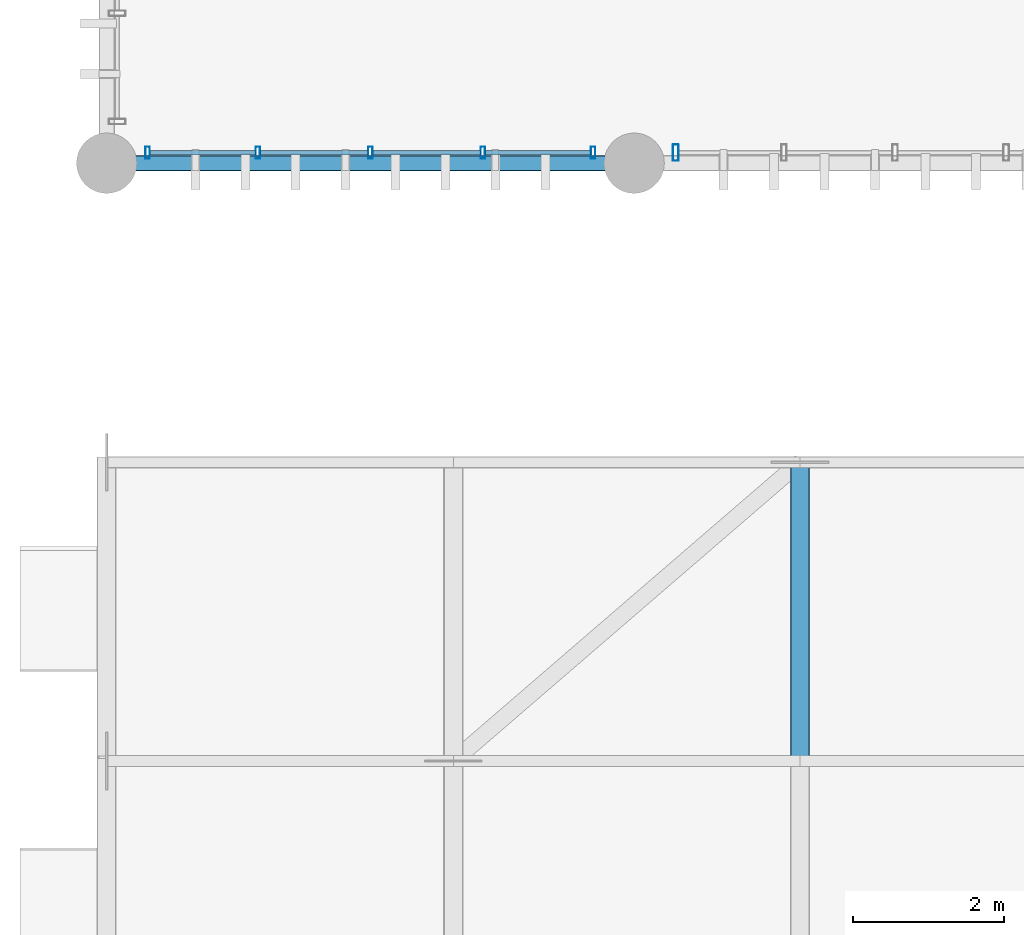
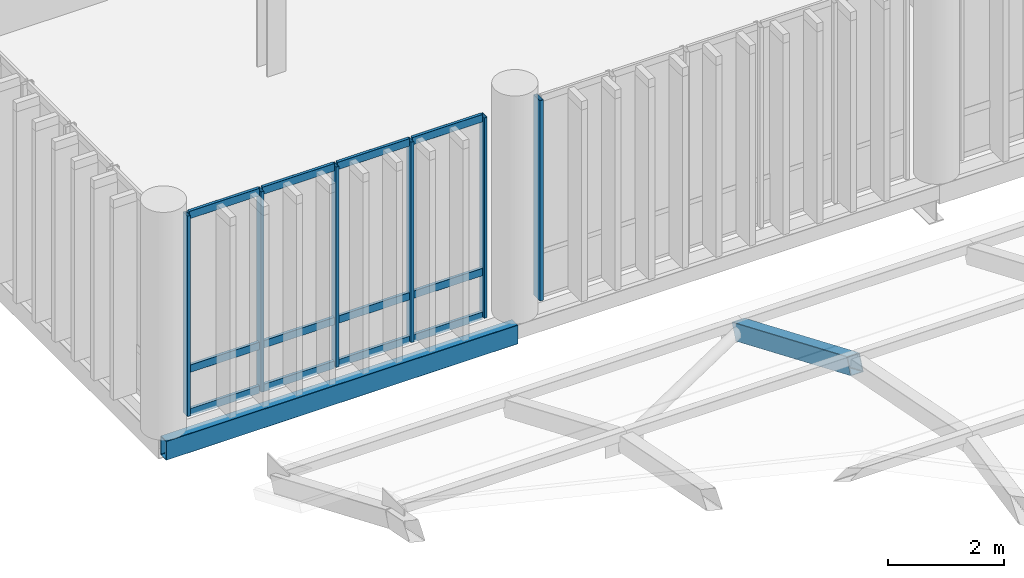
# One storey, part 12 of 94: 18 members, 2 beams, 2 elements without a shape of their own.
"""IFC4 building model written with IfcOpenShell, lengths in metres."""

from ifc_helpers import new_model, si_unit, direction, frame, origin_with_axes, origin_2d_with_axis, place, context, subcontext, project, spatial, hollow_rectangle, extrude, material, material_profile, profile_set, type_object, element, aggregate, save


model = new_model("IFC4")

# Units and contexts
model_context = context("Model", 3, precision=1e-05, world=origin_with_axes(), true_north=direction((0.0, 1.0)))
body_context = subcontext(model_context, "Body", "Model", "MODEL_VIEW")
ifc_project = project(units=[si_unit("LENGTHUNIT", "METRE"), si_unit("AREAUNIT", "SQUARE_METRE"), si_unit("VOLUMEUNIT", "CUBIC_METRE"), si_unit("PLANEANGLEUNIT", "RADIAN"), si_unit("MASSUNIT", "GRAM", prefix="KILO"), si_unit("THERMODYNAMICTEMPERATUREUNIT", "KELVIN")], contexts=[model_context])

# Site, building, storey
site_placement = place(None, origin_with_axes())
site = spatial("IfcSite", under=ifc_project, at=site_placement, CompositionType="ELEMENT")
building_placement = place(site_placement, origin_with_axes())
building = spatial("IfcBuilding", under=site, at=building_placement, Name="Montbau Bow Law Courts", CompositionType="ELEMENT")
storey_placement = place(building_placement, frame((0.0, 0.0, 15.6), z_axis=(0.0, 0.0, 1.0), x_axis=(1.0, 0.0, 0.0)))
storey = spatial("IfcBuildingStorey", under=building, at=storey_placement, Name="L03", CompositionType="ELEMENT", Elevation=15.6)

# Beams
ifc_material_1 = material(Name="Steel CSA G40.21 Grade 350WT (350 MPa)", Category="steel")
ifc_material_profile_1 = material_profile(ifc_material_1, hollow_rectangle(XDim=0.254, YDim=0.356, WallThickness=0.0127, InnerFilletRadius=0.0254, OuterFilletRadius=0.0127, at=origin_2d_with_axis()), Name="HSS356X254X13", Category="Main", Priority=0)
ifc_profile_set_1 = profile_set([ifc_material_profile_1], Name="Steel CSA G40.21 Grade 350WT (350 MPa)")
beam_type_1 = type_object("IfcBeamType", Name="B-ARC-01", PredefinedType="USERDEFINED", material=ifc_profile_set_1)
beam_1_placement = place(None, frame((16.0, 22.667, 18.511), z_axis=(0.0, 0.921210714, -0.389064031), x_axis=(-1.0, 0.0, 0.0)))
element("IfcBeam", 1, at=beam_1_placement, inside=storey, type_object=beam_type_1, Name="Barrel vault roof truss arch rib V1-017", ObjectType="ARCH_RIB", PredefinedType="USERDEFINED", context=body_context, shape_type="SweptSolid", body=[
    extrude(hollow_rectangle(XDim=0.254, YDim=0.356, WallThickness=0.0127, InnerFilletRadius=0.0254, OuterFilletRadius=0.0127, at=origin_2d_with_axis()), origin_with_axes(), (0.0, 0.0, 1.0), 4.305204),
])
ifc_material_profile_2 = material_profile(ifc_material_1, hollow_rectangle(XDim=0.203, YDim=0.406, WallThickness=0.0127, InnerFilletRadius=0.0254, OuterFilletRadius=0.0127, at=origin_2d_with_axis()), Name="HSS406X203X13", Category="Main", Priority=0)
ifc_profile_set_2 = profile_set([ifc_material_profile_2], Name="Steel CSA G40.21 Grade 350WT (350 MPa)")
beam_type_2 = type_object("IfcBeamType", Name="B-SPN-01", PredefinedType="SPANDREL", material=ifc_profile_set_2)
beam_2_placement = place(None, frame((6.8, 30.6, 15.157), z_axis=(1.0, 0.0, 0.0), x_axis=(0.0, 1.0, 0.0)))
element("IfcBeam", 2, at=beam_2_placement, inside=storey, type_object=beam_type_2, Name="SPN-L03-S0581:bm2_0584", PredefinedType="SPANDREL", context=body_context, shape_type="SweptSolid", body=[
    extrude(hollow_rectangle(XDim=0.203, YDim=0.406, WallThickness=0.0127, InnerFilletRadius=0.0254, OuterFilletRadius=0.0127, at=origin_2d_with_axis()), origin_with_axes(), (0.0, 0.0, 1.0), 7.0),
])

# Curtain wall, member
ifc_material_2 = material(Name="Thermally Broken Extruded Aluminium AA 6063-T6", Category="aluminium")
curtain_wall_type = type_object("IfcCurtainWallType", Name="CW-TRC-01", PredefinedType="NOTDEFINED", material=ifc_material_2)
curtain_wall_1_placement = place(None, frame((14.315, 30.74, 15.6), z_axis=(0.0, 0.0, 1.0), x_axis=(1.0, 0.0, 0.0)))
curtain_wall_1 = element("IfcCurtainWall", 3, at=curtain_wall_1_placement, inside=storey, type_object=curtain_wall_type, Name="CW-L03-051:cw_0051", PredefinedType="NOTDEFINED")
ifc_material_profile_3 = material_profile(ifc_material_2, hollow_rectangle(XDim=0.075, YDim=0.22, WallThickness=0.005, InnerFilletRadius=0.01, OuterFilletRadius=0.005, at=origin_2d_with_axis()), Name="CWM-220X75", Category="Main", Priority=0)
ifc_profile_set_3 = profile_set([ifc_material_profile_3], Name="Thermally Broken Extruded Aluminium AA 6063-T6")
member_type_1 = type_object("IfcMemberType", Name="M-MUL-01", PredefinedType="MULLION", material=ifc_profile_set_3)
member_1_placement = place(None, frame((14.352, 30.74, 15.6), z_axis=(0.0, 0.0, 1.0), x_axis=(1.0, 0.0, 0.0)))
member_1 = element("IfcMember", 4, at=member_1_placement, type_object=member_type_1, Name="CW-L03-051-M01:cw_0051_M01", PredefinedType="MULLION", context=body_context, shape_type="SweptSolid", body=[
    extrude(hollow_rectangle(XDim=0.075, YDim=0.22, WallThickness=0.005, InnerFilletRadius=0.01, OuterFilletRadius=0.005, at=origin_2d_with_axis()), origin_with_axes(), (0.0, 0.0, 1.0), 4.22),
])
aggregate(curtain_wall_1, [member_1])

# Curtain wall, members
curtain_wall_2_placement = place(None, frame((7.315, 30.74, 15.6), z_axis=(0.0, 0.0, 1.0), x_axis=(1.0, 0.0, 0.0)))
curtain_wall_2 = element("IfcCurtainWall", 5, at=curtain_wall_2_placement, inside=storey, type_object=curtain_wall_type, Name="CW-L03-050:cw_0050", PredefinedType="NOTDEFINED")
ifc_material_profile_4 = material_profile(ifc_material_2, hollow_rectangle(XDim=0.06, YDim=0.16, WallThickness=0.004, InnerFilletRadius=0.008, OuterFilletRadius=0.004, at=origin_2d_with_axis()), Name="CWM-160X60", Category="Main", Priority=0)
ifc_profile_set_4 = profile_set([ifc_material_profile_4], Name="Thermally Broken Extruded Aluminium AA 6063-T6")
member_type_2 = type_object("IfcMemberType", Name="M-MUL-03", PredefinedType="MULLION", material=ifc_profile_set_4)
member_2_placement = place(None, frame((7.345, 30.74, 15.6), z_axis=(0.0, 0.0, 1.0), x_axis=(1.0, 0.0, 0.0)))
member_2 = element("IfcMember", 6, at=member_2_placement, type_object=member_type_2, Name="CW-L03-050-M01:cw_0050_M01", PredefinedType="MULLION", context=body_context, shape_type="SweptSolid", body=[
    extrude(hollow_rectangle(XDim=0.06, YDim=0.16, WallThickness=0.004, InnerFilletRadius=0.008, OuterFilletRadius=0.004, at=origin_2d_with_axis()), origin_with_axes(), (0.0, 0.0, 1.0), 4.22),
])
member_3_placement = place(None, frame((8.807, 30.74, 15.6), z_axis=(0.0, 0.0, 1.0), x_axis=(1.0, 0.0, 0.0)))
member_3 = element("IfcMember", 7, at=member_3_placement, type_object=member_type_2, Name="CW-L03-050-M02:cw_0050_M02", PredefinedType="MULLION", context=body_context, shape_type="SweptSolid", body=[
    extrude(hollow_rectangle(XDim=0.06, YDim=0.16, WallThickness=0.004, InnerFilletRadius=0.008, OuterFilletRadius=0.004, at=origin_2d_with_axis()), origin_with_axes(), (0.0, 0.0, 1.0), 4.22),
])
member_4_placement = place(None, frame((10.3, 30.74, 15.6), z_axis=(0.0, 0.0, 1.0), x_axis=(1.0, 0.0, 0.0)))
member_4 = element("IfcMember", 8, at=member_4_placement, type_object=member_type_2, Name="CW-L03-050-M03:cw_0050_M03", PredefinedType="MULLION", context=body_context, shape_type="SweptSolid", body=[
    extrude(hollow_rectangle(XDim=0.06, YDim=0.16, WallThickness=0.004, InnerFilletRadius=0.008, OuterFilletRadius=0.004, at=origin_2d_with_axis()), origin_with_axes(), (0.0, 0.0, 1.0), 4.22),
])
member_5_placement = place(None, frame((11.793, 30.74, 15.6), z_axis=(0.0, 0.0, 1.0), x_axis=(1.0, 0.0, 0.0)))
member_5 = element("IfcMember", 9, at=member_5_placement, type_object=member_type_2, Name="CW-L03-050-M04:cw_0050_M04", PredefinedType="MULLION", context=body_context, shape_type="SweptSolid", body=[
    extrude(hollow_rectangle(XDim=0.06, YDim=0.16, WallThickness=0.004, InnerFilletRadius=0.008, OuterFilletRadius=0.004, at=origin_2d_with_axis()), origin_with_axes(), (0.0, 0.0, 1.0), 4.22),
])
member_6_placement = place(None, frame((13.255, 30.74, 15.6), z_axis=(0.0, 0.0, 1.0), x_axis=(1.0, 0.0, 0.0)))
member_6 = element("IfcMember", 10, at=member_6_placement, type_object=member_type_2, Name="CW-L03-050-M05:cw_0050_M05", PredefinedType="MULLION", context=body_context, shape_type="SweptSolid", body=[
    extrude(hollow_rectangle(XDim=0.06, YDim=0.16, WallThickness=0.004, InnerFilletRadius=0.008, OuterFilletRadius=0.004, at=origin_2d_with_axis()), origin_with_axes(), (0.0, 0.0, 1.0), 4.22),
])
ifc_material_profile_5 = material_profile(ifc_material_2, hollow_rectangle(XDim=0.06, YDim=0.16, WallThickness=0.004, InnerFilletRadius=0.008, OuterFilletRadius=0.004, at=origin_2d_with_axis()), Name="CWT-160X60", Category="Main", Priority=0)
ifc_profile_set_5 = profile_set([ifc_material_profile_5], Name="Thermally Broken Extruded Aluminium AA 6063-T6")
member_type_3 = type_object("IfcMemberType", Name="M-TRN-01", PredefinedType="USERDEFINED", material=ifc_profile_set_5)
member_7_placement = place(None, frame((7.377, 30.74, 15.63), z_axis=(1.0, 0.0, 0.0), x_axis=(0.0, 1.0, 0.0)))
member_7 = element("IfcMember", 11, at=member_7_placement, type_object=member_type_3, Name="CW-L03-050-T01-1:cw_0050_T01_1", ObjectType="TRANSOM", PredefinedType="USERDEFINED", context=body_context, shape_type="SweptSolid", body=[
    extrude(hollow_rectangle(XDim=0.06, YDim=0.16, WallThickness=0.004, InnerFilletRadius=0.008, OuterFilletRadius=0.004, at=origin_2d_with_axis()), origin_with_axes(), (0.0, 0.0, 1.0), 1.398),
])
member_8_placement = place(None, frame((7.377, 30.74, 16.55), z_axis=(1.0, 0.0, 0.0), x_axis=(0.0, 1.0, 0.0)))
member_8 = element("IfcMember", 12, at=member_8_placement, type_object=member_type_3, Name="CW-L03-050-T01-2:cw_0050_T01_2", ObjectType="TRANSOM", PredefinedType="USERDEFINED", context=body_context, shape_type="SweptSolid", body=[
    extrude(hollow_rectangle(XDim=0.06, YDim=0.16, WallThickness=0.004, InnerFilletRadius=0.008, OuterFilletRadius=0.004, at=origin_2d_with_axis()), origin_with_axes(), (0.0, 0.0, 1.0), 1.398),
])
member_9_placement = place(None, frame((7.377, 30.74, 19.79), z_axis=(1.0, 0.0, 0.0), x_axis=(0.0, 1.0, 0.0)))
member_9 = element("IfcMember", 13, at=member_9_placement, type_object=member_type_3, Name="CW-L03-050-T01-3:cw_0050_T01_3", ObjectType="TRANSOM", PredefinedType="USERDEFINED", context=body_context, shape_type="SweptSolid", body=[
    extrude(hollow_rectangle(XDim=0.06, YDim=0.16, WallThickness=0.004, InnerFilletRadius=0.008, OuterFilletRadius=0.004, at=origin_2d_with_axis()), origin_with_axes(), (0.0, 0.0, 1.0), 1.398),
])
member_10_placement = place(None, frame((8.839, 30.74, 15.63), z_axis=(1.0, 0.0, 0.0), x_axis=(0.0, 1.0, 0.0)))
member_10 = element("IfcMember", 14, at=member_10_placement, type_object=member_type_3, Name="CW-L03-050-T02-1:cw_0050_T02_1", ObjectType="TRANSOM", PredefinedType="USERDEFINED", context=body_context, shape_type="SweptSolid", body=[
    extrude(hollow_rectangle(XDim=0.06, YDim=0.16, WallThickness=0.004, InnerFilletRadius=0.008, OuterFilletRadius=0.004, at=origin_2d_with_axis()), origin_with_axes(), (0.0, 0.0, 1.0), 1.429),
])
member_11_placement = place(None, frame((8.839, 30.74, 16.55), z_axis=(1.0, 0.0, 0.0), x_axis=(0.0, 1.0, 0.0)))
member_11 = element("IfcMember", 15, at=member_11_placement, type_object=member_type_3, Name="CW-L03-050-T02-2:cw_0050_T02_2", ObjectType="TRANSOM", PredefinedType="USERDEFINED", context=body_context, shape_type="SweptSolid", body=[
    extrude(hollow_rectangle(XDim=0.06, YDim=0.16, WallThickness=0.004, InnerFilletRadius=0.008, OuterFilletRadius=0.004, at=origin_2d_with_axis()), origin_with_axes(), (0.0, 0.0, 1.0), 1.429),
])
member_12_placement = place(None, frame((8.839, 30.74, 19.79), z_axis=(1.0, 0.0, 0.0), x_axis=(0.0, 1.0, 0.0)))
member_12 = element("IfcMember", 16, at=member_12_placement, type_object=member_type_3, Name="CW-L03-050-T02-3:cw_0050_T02_3", ObjectType="TRANSOM", PredefinedType="USERDEFINED", context=body_context, shape_type="SweptSolid", body=[
    extrude(hollow_rectangle(XDim=0.06, YDim=0.16, WallThickness=0.004, InnerFilletRadius=0.008, OuterFilletRadius=0.004, at=origin_2d_with_axis()), origin_with_axes(), (0.0, 0.0, 1.0), 1.429),
])
member_13_placement = place(None, frame((10.332, 30.74, 15.63), z_axis=(1.0, 0.0, 0.0), x_axis=(0.0, 1.0, 0.0)))
member_13 = element("IfcMember", 17, at=member_13_placement, type_object=member_type_3, Name="CW-L03-050-T03-1:cw_0050_T03_1", ObjectType="TRANSOM", PredefinedType="USERDEFINED", context=body_context, shape_type="SweptSolid", body=[
    extrude(hollow_rectangle(XDim=0.06, YDim=0.16, WallThickness=0.004, InnerFilletRadius=0.008, OuterFilletRadius=0.004, at=origin_2d_with_axis()), origin_with_axes(), (0.0, 0.0, 1.0), 1.429),
])
member_14_placement = place(None, frame((10.332, 30.74, 16.55), z_axis=(1.0, 0.0, 0.0), x_axis=(0.0, 1.0, 0.0)))
member_14 = element("IfcMember", 18, at=member_14_placement, type_object=member_type_3, Name="CW-L03-050-T03-2:cw_0050_T03_2", ObjectType="TRANSOM", PredefinedType="USERDEFINED", context=body_context, shape_type="SweptSolid", body=[
    extrude(hollow_rectangle(XDim=0.06, YDim=0.16, WallThickness=0.004, InnerFilletRadius=0.008, OuterFilletRadius=0.004, at=origin_2d_with_axis()), origin_with_axes(), (0.0, 0.0, 1.0), 1.429),
])
member_15_placement = place(None, frame((10.332, 30.74, 19.79), z_axis=(1.0, 0.0, 0.0), x_axis=(0.0, 1.0, 0.0)))
member_15 = element("IfcMember", 19, at=member_15_placement, type_object=member_type_3, Name="CW-L03-050-T03-3:cw_0050_T03_3", ObjectType="TRANSOM", PredefinedType="USERDEFINED", context=body_context, shape_type="SweptSolid", body=[
    extrude(hollow_rectangle(XDim=0.06, YDim=0.16, WallThickness=0.004, InnerFilletRadius=0.008, OuterFilletRadius=0.004, at=origin_2d_with_axis()), origin_with_axes(), (0.0, 0.0, 1.0), 1.429),
])
member_16_placement = place(None, frame((11.825, 30.74, 15.63), z_axis=(1.0, 0.0, 0.0), x_axis=(0.0, 1.0, 0.0)))
member_16 = element("IfcMember", 20, at=member_16_placement, type_object=member_type_3, Name="CW-L03-050-T04-1:cw_0050_T04_1", ObjectType="TRANSOM", PredefinedType="USERDEFINED", context=body_context, shape_type="SweptSolid", body=[
    extrude(hollow_rectangle(XDim=0.06, YDim=0.16, WallThickness=0.004, InnerFilletRadius=0.008, OuterFilletRadius=0.004, at=origin_2d_with_axis()), origin_with_axes(), (0.0, 0.0, 1.0), 1.398),
])
member_17_placement = place(None, frame((11.825, 30.74, 16.55), z_axis=(1.0, 0.0, 0.0), x_axis=(0.0, 1.0, 0.0)))
member_17 = element("IfcMember", 21, at=member_17_placement, type_object=member_type_3, Name="CW-L03-050-T04-2:cw_0050_T04_2", ObjectType="TRANSOM", PredefinedType="USERDEFINED", context=body_context, shape_type="SweptSolid", body=[
    extrude(hollow_rectangle(XDim=0.06, YDim=0.16, WallThickness=0.004, InnerFilletRadius=0.008, OuterFilletRadius=0.004, at=origin_2d_with_axis()), origin_with_axes(), (0.0, 0.0, 1.0), 1.398),
])
member_18_placement = place(None, frame((11.825, 30.74, 19.79), z_axis=(1.0, 0.0, 0.0), x_axis=(0.0, 1.0, 0.0)))
member_18 = element("IfcMember", 22, at=member_18_placement, type_object=member_type_3, Name="CW-L03-050-T04-3:cw_0050_T04_3", ObjectType="TRANSOM", PredefinedType="USERDEFINED", context=body_context, shape_type="SweptSolid", body=[
    extrude(hollow_rectangle(XDim=0.06, YDim=0.16, WallThickness=0.004, InnerFilletRadius=0.008, OuterFilletRadius=0.004, at=origin_2d_with_axis()), origin_with_axes(), (0.0, 0.0, 1.0), 1.398),
])
aggregate(curtain_wall_2, [member_2, member_3, member_4, member_5, member_6, member_7, member_8, member_9, member_10, member_11, member_12, member_13, member_14, member_15, member_16, member_17, member_18])

save(model, "model.ifc")
